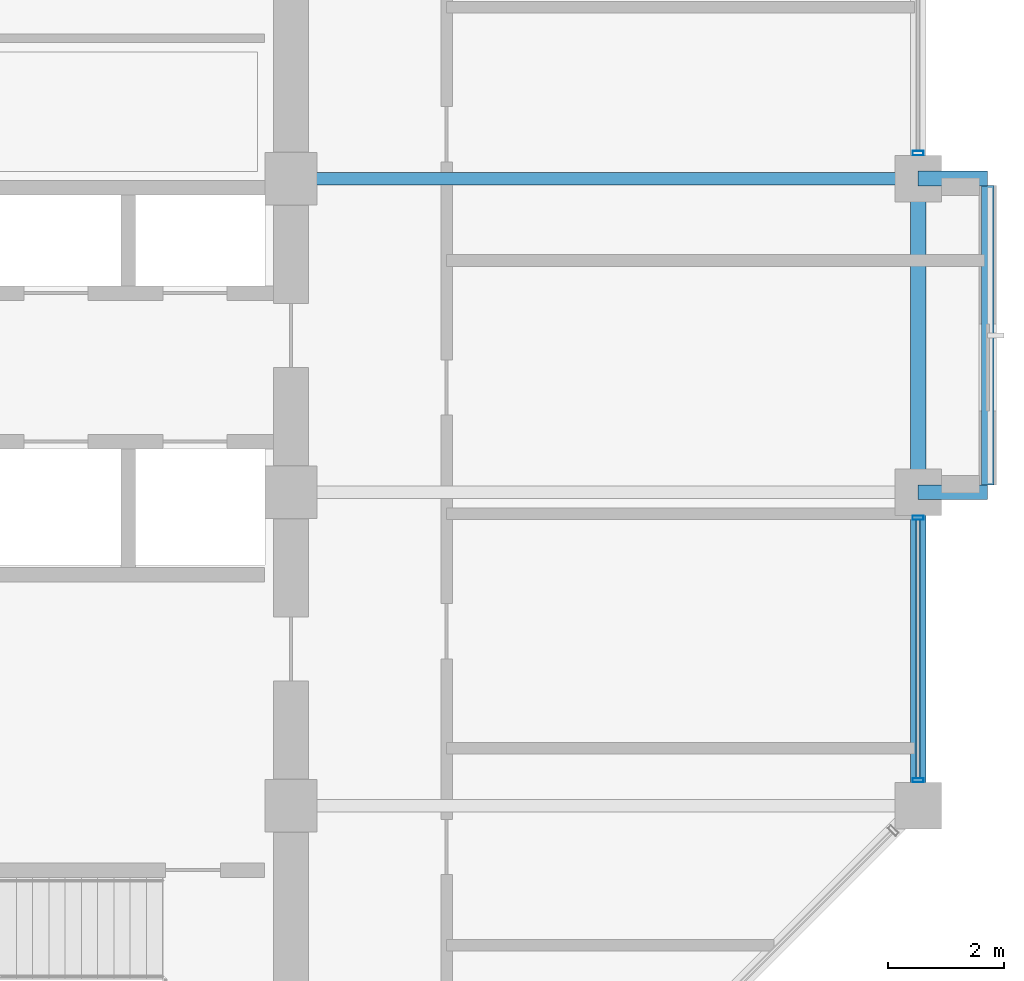
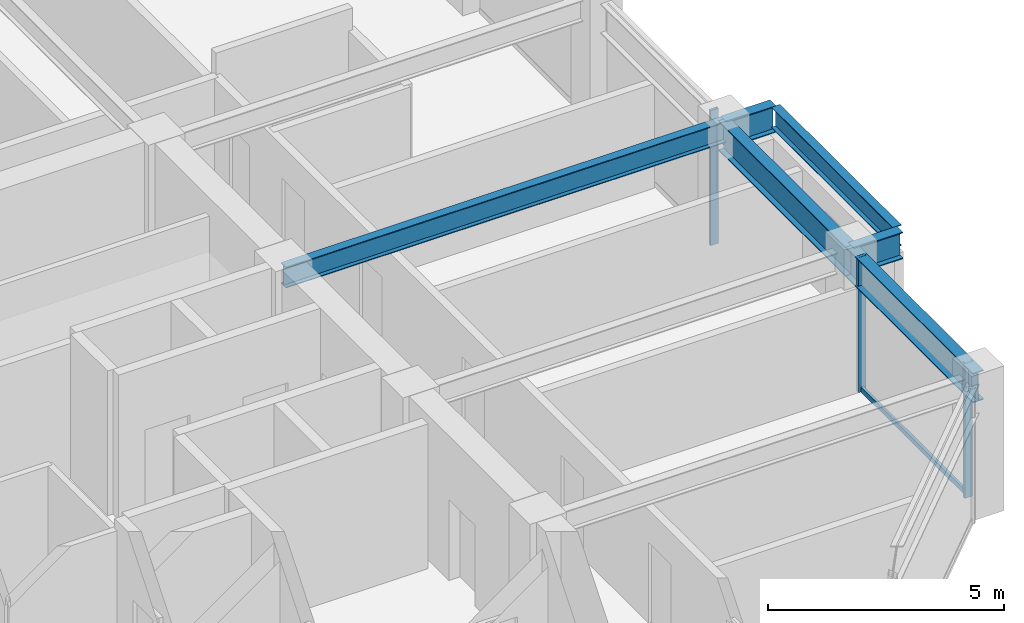
# One storey, part 11 of 28: 6 beams, 4 members, 2 elements without a shape of their own.
"""IFC4 building model written with IfcOpenShell, lengths in metres."""

from ifc_helpers import new_model, si_unit, direction, frame, origin, origin_2d, place, context, subcontext, project, spatial, hollow_rectangle, i_section, extrude, material, layer, layer_set, material_profile, profile_set, type_object, element, aggregate, save


model = new_model("IFC4")

# Units and contexts
model_context = context("Model", 3, precision=1e-05, world=origin(), true_north=direction((0.0, 1.0)))
body_context = subcontext(model_context, "Body", "Model", "MODEL_VIEW")
ifc_project = project(units=[si_unit("LENGTHUNIT", "METRE"), si_unit("AREAUNIT", "SQUARE_METRE"), si_unit("VOLUMEUNIT", "CUBIC_METRE"), si_unit("PLANEANGLEUNIT", "RADIAN"), si_unit("MASSUNIT", "GRAM", prefix="KILO")], contexts=[model_context])

# Site, building, storey
site_placement = place(None, origin())
site = spatial("IfcSite", under=ifc_project, at=site_placement, CompositionType="ELEMENT")
building_placement = place(site_placement, origin())
building = spatial("IfcBuilding", under=site, at=building_placement, Name="Surkhivell Harbour Commons", CompositionType="ELEMENT")
storey_placement = place(building_placement, frame((0.0, 0.0, 246.0)))
storey = spatial("IfcBuildingStorey", under=building, at=storey_placement, Name="L64", CompositionType="ELEMENT", Elevation=246.0)

# Beams
ifc_material_1 = material(Name="Steel S460", Category="steel")
ifc_material_profile_1 = material_profile(ifc_material_1, i_section(OverallWidth=0.256103515625, OverallDepth=0.693115234375, WebThickness=0.014404296875, FlangeThickness=0.023681640625, at=origin_2d()), Name="UB686x254x170")
ifc_profile_set_1 = profile_set([ifc_material_profile_1], Name="Steel S460")
beam_type_1 = type_object("IfcBeamType", Name="BM-CNT-686", PredefinedType="BEAM", material=ifc_profile_set_1)
for number, where, z_axis, x_axis, name in (
    (1, (21.60009765625, 0.0, 3.153564453125), (1.0, 0.0, 0.0), (0.0, 1.0, 0.0), "L64 Box Cantilever Outrigger (21.6,0.0)"),
    (2, (21.60009765625, 5.39990234375, 3.153564453125), (1.0, 0.0, 0.0), (0.0, 1.0, 0.0), "L64 Box Cantilever Outrigger (21.6,5.4)"),
):
    element("IfcBeam", number, at=place(storey_placement, frame(where, z_axis=z_axis, x_axis=x_axis)), inside=storey, type_object=beam_type_1, Name=name, PredefinedType="BEAM", context=body_context, shape_type="SweptSolid", body=[
        extrude(i_section(OverallWidth=0.256103515625, OverallDepth=0.693115234375, WebThickness=0.014404296875, FlangeThickness=0.023681640625, at=origin_2d()), origin(), (0.0, 0.0, 1.0), 1.199951171875),
    ])
ifc_material_2 = material(Name="Steel S355", Category="steel")
ifc_material_profile_2 = material_profile(ifc_material_2, i_section(OverallWidth=0.2119140625, OverallDepth=0.5439453125, WebThickness=0.0126953125, FlangeThickness=0.021240234375, at=origin_2d()), Name="UB533x210x122")
ifc_profile_set_2 = profile_set([ifc_material_profile_2], Name="Steel S355")
beam_type_2 = type_object("IfcBeamType", Name="BM-GRD-533A", PredefinedType="BEAM", material=ifc_profile_set_2)
beam_1_placement = place(storey_placement, frame((10.800048828125, 5.39990234375, 3.22802734375), z_axis=(1.0, 0.0, 0.0), x_axis=(0.0, 1.0, 0.0)))
element("IfcBeam", 3, at=beam_1_placement, inside=storey, type_object=beam_type_2, Name="L64 Floor Girder (10.8,5.4)", PredefinedType="BEAM", context=body_context, shape_type="SweptSolid", body=[
    extrude(i_section(OverallWidth=0.2119140625, OverallDepth=0.5439453125, WebThickness=0.0126953125, FlangeThickness=0.021240234375, at=origin_2d()), origin(), (0.0, 0.0, 1.0), 10.800048828125),
])
ifc_material_profile_3 = material_profile(ifc_material_2, i_section(OverallWidth=0.2099609375, OverallDepth=0.537109375, WebThickness=0.0107421875, FlangeThickness=0.017333984375, at=origin_2d()), Name="UB533x210x101")
ifc_profile_set_3 = profile_set([ifc_material_profile_3], Name="Steel S355")
beam_type_3 = type_object("IfcBeamType", Name="BM-GRD-533B", PredefinedType="BEAM", material=ifc_profile_set_3)
beam_2_placement = place(storey_placement, frame((22.800048828125, 0.1220703125, 3.2314453125), z_axis=(0.0, 1.0, 0.0), x_axis=(-1.0, 0.0, 0.0)))
element("IfcBeam", 4, at=beam_2_placement, inside=storey, type_object=beam_type_3, Name="L64 Box Rim Spandrel (22.8,0.0)", PredefinedType="BEAM", context=body_context, shape_type="SweptSolid", body=[
    extrude(i_section(OverallWidth=0.2099609375, OverallDepth=0.537109375, WebThickness=0.0107421875, FlangeThickness=0.017333984375, at=origin_2d()), origin(), (0.0, 0.0, 1.0), 5.156005859375),
])
ifc_material_profile_4 = material_profile(ifc_material_2, i_section(OverallWidth=0.26806640625, OverallDepth=0.77001953125, WebThickness=0.015625, FlangeThickness=0.025390625, at=origin_2d()), Name="UB762x267x197")
ifc_profile_set_4 = profile_set([ifc_material_profile_4], Name="Steel S355")
beam_type_4 = type_object("IfcBeamType", Name="BM-SPN-762", PredefinedType="SPANDREL", material=ifc_profile_set_4)
for number, where, z_axis, x_axis, name in (
    (5, (21.60009765625, -5.39990234375, 3.114990234375), (0.0, 1.0, 0.0), (-1.0, 0.0, 0.0), "L64 Tube Spandrel (21.6,-5.4)"),
    (6, (21.60009765625, 0.0, 3.114990234375), (0.0, 1.0, 0.0), (-1.0, 0.0, 0.0), "L64 Tube Spandrel (21.6,0.0)"),
):
    element("IfcBeam", number, at=place(storey_placement, frame(where, z_axis=z_axis, x_axis=x_axis)), inside=storey, type_object=beam_type_4, Name=name, PredefinedType="SPANDREL", context=body_context, shape_type="SweptSolid", body=[
        extrude(i_section(OverallWidth=0.26806640625, OverallDepth=0.77001953125, WebThickness=0.015625, FlangeThickness=0.025390625, at=origin_2d()), origin(), (0.0, 0.0, 1.0), 5.39990234375),
    ])

# Curtain wall, members
ifc_material_3 = material(Name="Anodised pale-metal aluminium and insulated glazing", Category="aluminium")
ifc_layer = layer(ifc_material_3, 0.18994140625)
ifc_layer_set = layer_set([ifc_layer], Name="Anodised pale-metal aluminium and insulated glazing")
curtain_wall_type = type_object("IfcCurtainWallType", Name="CW-SYS-Z3", PredefinedType="NOTDEFINED", material=ifc_layer_set)
curtain_wall_1_placement = place(storey_placement, origin())
curtain_wall_1 = element("IfcCurtainWall", 7, at=curtain_wall_1_placement, inside=storey, type_object=curtain_wall_type, Name="L64 Curtain Wall CW-L64-E02R1", PredefinedType="NOTDEFINED")
ifc_material_4 = material(Name="Anodised pale-metal aluminium alloy 6063-T6", Category="aluminium")
ifc_material_profile_5 = material_profile(ifc_material_4, hollow_rectangle(XDim=0.074951171875, YDim=0.18994140625, WallThickness=0.00390625, at=origin_2d()), Name="ALU-MULL-75x190")
ifc_profile_set_5 = profile_set([ifc_material_profile_5], Name="Anodised pale-metal aluminium alloy 6063-T6")
member_type_1 = type_object("IfcMemberType", Name="CWM-190", PredefinedType="MULLION", material=ifc_profile_set_5)
member_1_placement = place(storey_placement, frame((21.60009765625, -4.96044921875, 0.0), z_axis=(0.0, 0.0, 1.0), x_axis=(0.0, 1.0, 0.0)))
member_1 = element("IfcMember", 8, at=member_1_placement, type_object=member_type_1, Name="CW-Z3 mullion 1", PredefinedType="MULLION", context=body_context, shape_type="SweptSolid", body=[
    extrude(hollow_rectangle(XDim=0.074951171875, YDim=0.18994140625, WallThickness=0.00390625, at=origin_2d()), origin(), (0.0, 0.0, 1.0), 3.5),
])
member_2_placement = place(storey_placement, frame((21.60009765625, -0.439453125, 0.0), z_axis=(0.0, 0.0, 1.0), x_axis=(0.0, 1.0, 0.0)))
member_2 = element("IfcMember", 9, at=member_2_placement, type_object=member_type_1, Name="CW-Z3 mullion 2", PredefinedType="MULLION", context=body_context, shape_type="SweptSolid", body=[
    extrude(hollow_rectangle(XDim=0.074951171875, YDim=0.18994140625, WallThickness=0.00390625, at=origin_2d()), origin(), (0.0, 0.0, 1.0), 3.5),
])

# Curtain wall, member
curtain_wall_2_placement = place(storey_placement, origin())
curtain_wall_2 = element("IfcCurtainWall", 10, at=curtain_wall_2_placement, inside=storey, type_object=curtain_wall_type, Name="L64 Curtain Wall CW-L64-E02R2", PredefinedType="NOTDEFINED")
member_3_placement = place(storey_placement, frame((21.60009765625, 5.839599609375, 0.0), z_axis=(0.0, 0.0, 1.0), x_axis=(0.0, 1.0, 0.0)))
member_3 = element("IfcMember", 11, at=member_3_placement, type_object=member_type_1, Name="CW-Z3 mullion 1", PredefinedType="MULLION", context=body_context, shape_type="SweptSolid", body=[
    extrude(hollow_rectangle(XDim=0.074951171875, YDim=0.18994140625, WallThickness=0.00390625, at=origin_2d()), origin(), (0.0, 0.0, 1.0), 3.5),
])
aggregate(curtain_wall_2, [member_3])

# Member
ifc_material_5 = material(Name="Champagne anodised aluminium alloy 6063-T6", Category="aluminium")
ifc_material_profile_6 = material_profile(ifc_material_5, hollow_rectangle(XDim=0.070068359375, YDim=0.1298828125, WallThickness=0.00341796875, at=origin_2d()), Name="ALU-TRAN-70x130")
ifc_profile_set_6 = profile_set([ifc_material_profile_6], Name="Champagne anodised aluminium alloy 6063-T6")
member_type_2 = type_object("IfcMemberType", Name="CWT-130", PredefinedType="USERDEFINED", material=ifc_profile_set_6)
member_4_placement = place(storey_placement, frame((21.60009765625, -4.923095703125, 0.06494140625), z_axis=(0.0, 1.0, 0.0), x_axis=(-1.0, 0.0, 0.0)))
member_4 = element("IfcMember", 12, at=member_4_placement, type_object=member_type_2, Name="CW-Z3 transom 1.1", ObjectType="TRANSOM", PredefinedType="USERDEFINED", context=body_context, shape_type="SweptSolid", body=[
    extrude(hollow_rectangle(XDim=0.070068359375, YDim=0.1298828125, WallThickness=0.00341796875, at=origin_2d()), origin(), (0.0, 0.0, 1.0), 4.446044921875),
])

aggregate(curtain_wall_1, [member_1, member_2, member_4])

save(model, "model.ifc")
